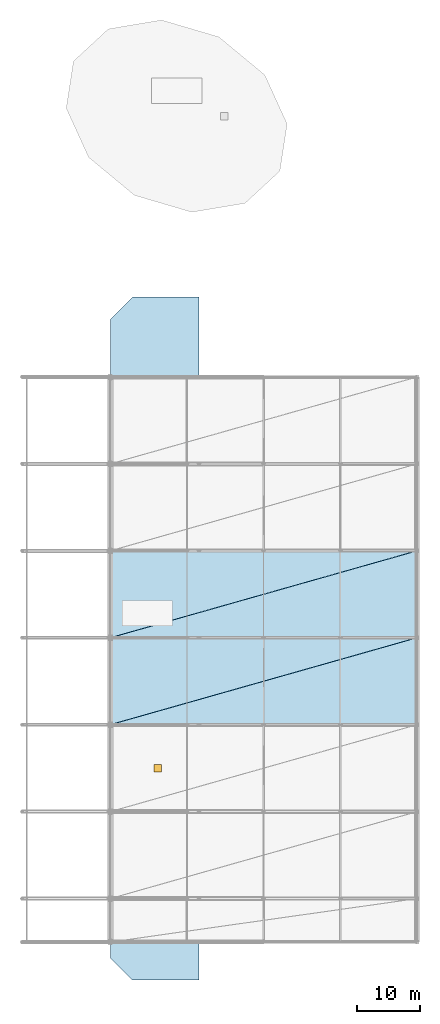
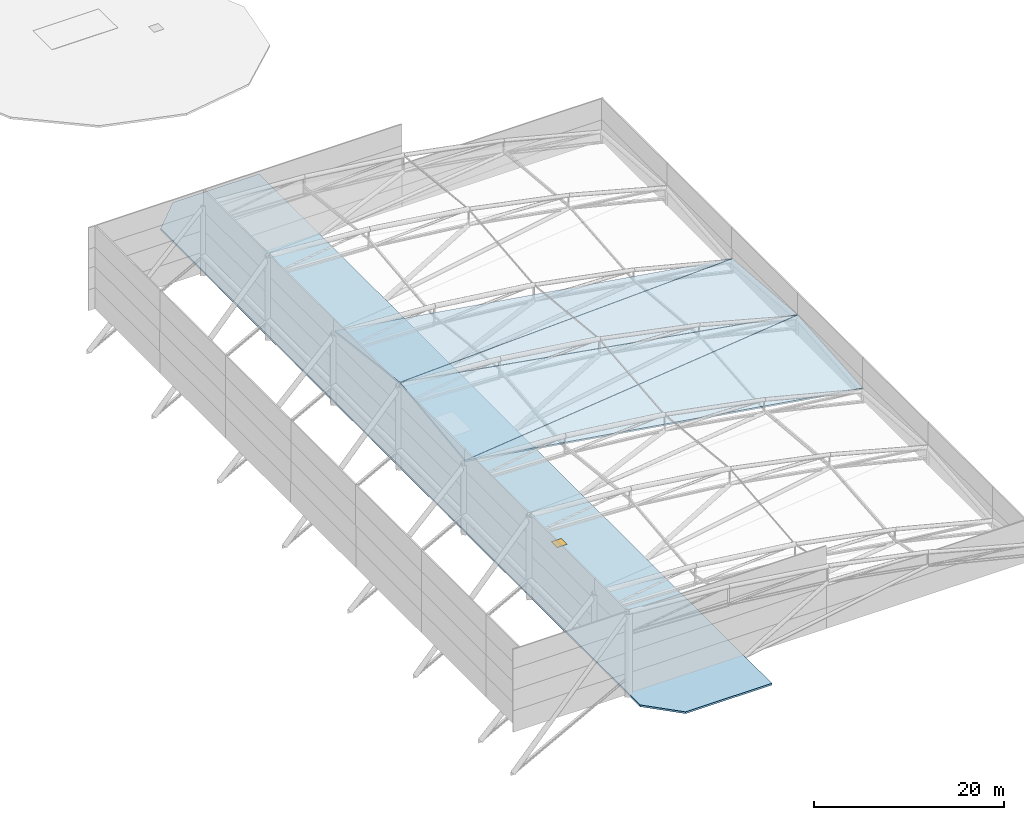
# One storey, part 29 of 36: 5 slabs, 1 window, 1 opening.
"""IFC4 building model written with IfcOpenShell, lengths in metres."""

from ifc_helpers import new_model, si_unit, direction, frame, origin, origin_2d, place, context, subcontext, project, spatial, polyline, rectangle, outline, extrude, material, layer, layer_set, type_object, element, fill, save


model = new_model("IFC4")

# Units and contexts
model_context = context("Model", 3, precision=1e-05, world=origin(), true_north=direction((0.0, 1.0)))
body_context = subcontext(model_context, "Body", "Model", "MODEL_VIEW")
ifc_project = project(units=[si_unit("LENGTHUNIT", "METRE"), si_unit("AREAUNIT", "SQUARE_METRE"), si_unit("VOLUMEUNIT", "CUBIC_METRE"), si_unit("PLANEANGLEUNIT", "RADIAN"), si_unit("MASSUNIT", "GRAM", prefix="KILO")], contexts=[model_context])

# Site, building, storey
site_placement = place(None, origin())
site = spatial("IfcSite", under=ifc_project, at=site_placement, CompositionType="ELEMENT")
building_placement = place(site_placement, origin())
building = spatial("IfcBuilding", under=site, at=building_placement, Name="Linyun Crest Stadium", CompositionType="ELEMENT")
storey_placement = place(building_placement, frame((0.0, 0.0, 31.60009765625)))
storey = spatial("IfcBuildingStorey", under=building, at=storey_placement, Name="RF", CompositionType="ELEMENT", Elevation=31.60009765625)

# Slabs
ifc_material_1 = material(Name="Concrete C40", Category="concrete")
ifc_layer_1 = layer(ifc_material_1, 0.205078125)
ifc_layer_set_1 = layer_set([ifc_layer_1], Name="Concrete C40")
slab_type_1 = type_object("IfcSlabType", Name="RS01", PredefinedType="ROOF", material=ifc_layer_set_1)
slab_1_placement = place(storey_placement, frame((-83.95703125, -11.60009765625, 9.0556640625), z_axis=(0.166403985393, -0.120991855615, 0.978606501368), x_axis=(0.000371102243, 0.992451097525, 0.12264045542)))
element("IfcSlab", 1, at=slab_1_placement, inside=storey, type_object=slab_type_1, Name="Wave canopy roof deck RS01 V1 7", PredefinedType="ROOF", context=body_context, shape_type="SweptSolid", body=[
    extrude(outline(polyline([(0.0, 0.0), (13.81547330122875, 5.551115123125783e-17), (12.830951002267827, -49.086606289850366), (0.0, 0.0)])), origin(), (0.0, 0.0, -1.0), 0.205078125),
])
slab_2_placement = place(storey_placement, frame((-83.95703125, 2.14990234375, 10.75), z_axis=(0.154697827667, 0.121227494314, 0.980496036064), x_axis=(0.00037109661, 0.992436034081, -0.12276229285)))
element("IfcSlab", 2, at=slab_2_placement, inside=storey, type_object=slab_type_1, Name="Wave canopy roof deck RS01 V1 9", PredefinedType="ROOF", context=body_context, shape_type="SweptSolid", body=[
    extrude(outline(polyline([(0.0, 0.0), (13.815682995960728, 5.551115123125783e-17), (14.778020008536348, -48.991266848539524), (0.0, 0.0)])), origin(), (0.0, 0.0, -1.0), 0.205078125),
])
ifc_material_2 = material(Name="Concrete C40", Category="concrete")
ifc_layer_2 = layer(ifc_material_2, 0.215087890625)
ifc_layer_set_2 = layer_set([ifc_layer_2], Name="Concrete C40")
slab_type_2 = type_object("IfcSlabType", Name="RS02", PredefinedType="ROOF", material=ifc_layer_set_2)
slab_3_placement = place(storey_placement, frame((-83.949951171875, -11.617919921875, 9.052734375), z_axis=(0.15536175237, -0.079150327085, 0.984681649886), x_axis=(0.954098453325, 0.270381228062, -0.128802689699)))
element("IfcSlab", 3, at=slab_3_placement, inside=storey, type_object=slab_type_2, Name="Wave canopy roof deck RS02 V1 8", PredefinedType="ROOF", context=body_context, shape_type="SweptSolid", body=[
    extrude(outline(polyline([(0.0, 0.0), (50.73583575484608, -2.4424906541753444e-15), (47.165550773534825, -13.28391868195452), (0.0, 0.0)])), origin(), (0.0, 0.0, -1.0), 0.215087890625),
])
slab_4_placement = place(storey_placement, frame((-83.949951171875, 2.132080078125, 10.7509765625), z_axis=(0.167113232306, 0.078981121292, 0.982769123481), x_axis=(0.945972508906, 0.268078422912, -0.182400579942)))
element("IfcSlab", 4, at=slab_4_placement, inside=storey, type_object=slab_type_2, Name="Wave canopy roof deck RS02 V1 10", PredefinedType="ROOF", context=body_context, shape_type="SweptSolid", body=[
    extrude(outline(polyline([(0.0, 0.0), (51.171658759788635, -1.2212453270876722e-15), (47.28998855679638, -13.196412220605916), (0.0, 0.0)])), origin(), (0.0, 0.0, -1.0), 0.215087890625),
])

# Slab, opening, window
ifc_material_3 = material(Name="Concrete C40", Category="concrete")
ifc_layer_3 = layer(ifc_material_3, 0.235107421875)
ifc_layer_set_3 = layer_set([ifc_layer_3], Name="Concrete C40")
slab_type_3 = type_object("IfcSlabType", Name="RS03", PredefinedType="ROOF", material=ifc_layer_set_3)
slab_5_placement = place(storey_placement, frame((0.0, 0.0, -0.235107421875)))
slab_5 = element("IfcSlab", 5, at=slab_5_placement, inside=storey, type_object=slab_type_3, Name="Slab RS03 V1 RF 16", PredefinedType="ROOF", context=body_context, shape_type="SweptSolid", body=[
    extrude(outline(polyline([(-80.5, -52.0), (-70.0, -52.0), (-70.0, 56.0), (-80.5, 56.0), (-84.0, 52.5), (-84.0, -48.5), (-80.5, -52.0)])), origin(), (0.0, 0.0, 1.0), 0.235107421875),
])
opening_placement = place(slab_5_placement, frame((-76.5, -18.5, 0.0)))
opening = element("IfcOpeningElement", 6, at=opening_placement, cuts=slab_5, Name="Opening RH01", PredefinedType="OPENING", context=body_context, shape_type="SweptSolid", body=[
    extrude(rectangle(XDim=1.199951171875, YDim=1.199951171875, at=origin_2d()), origin(), (0.0, 0.0, 1.0), 0.235107421875),
])
ifc_material_4 = material(Name="Thermally insulated aluminium roof access hatch", Category="aluminium")
ifc_layer_4 = layer(ifc_material_4, 0.06494140625)
ifc_layer_set_4 = layer_set([ifc_layer_4], Name="Thermally insulated aluminium roof access hatch")
window_type = type_object("IfcWindowType", Name="RH01", PartitioningType="SINGLE_PANEL", PredefinedType="SKYLIGHT", material=ifc_layer_set_4)
window_placement = place(opening_placement, frame((0.0, 0.0, 0.170166015625)))
window = element("IfcWindow", 7, at=window_placement, inside=storey, type_object=window_type, Name="Roof access hatch RH01 RF 1", OverallHeight=1.199951171875, OverallWidth=1.199951171875, PartitioningType="SINGLE_PANEL", PredefinedType="SKYLIGHT", context=body_context, shape_type="SweptSolid", body=[
    extrude(rectangle(XDim=1.199951171875, YDim=1.199951171875, at=origin_2d()), origin(), (0.0, 0.0, 1.0), 0.06494140625),
])
fill(opening, window)

save(model, "model.ifc")
